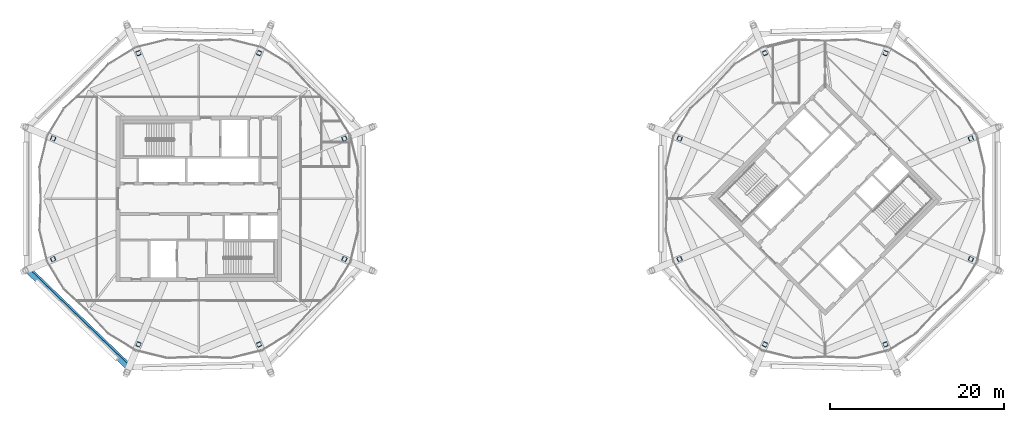
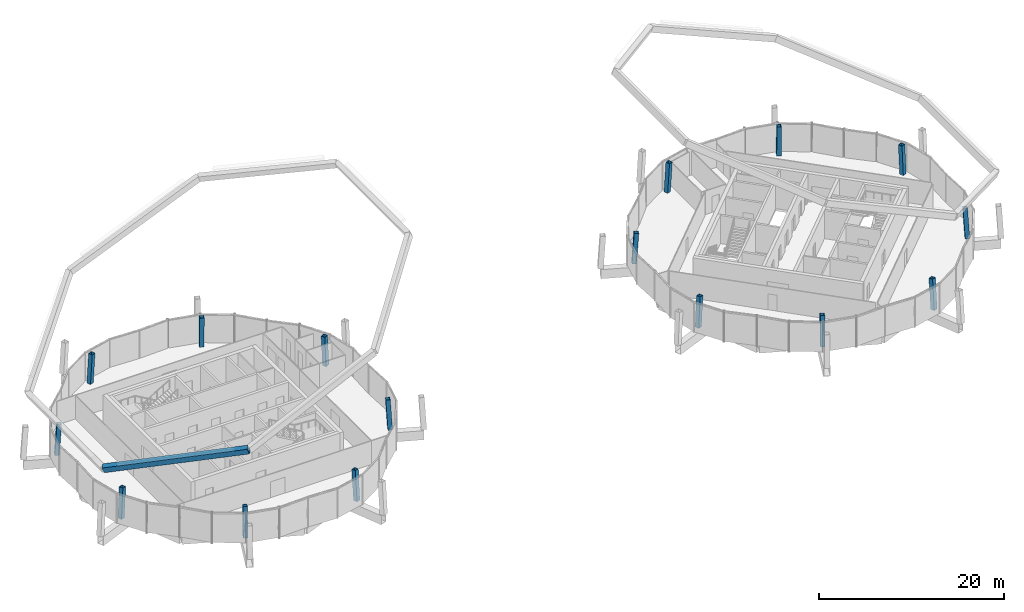
# One storey, part 1 of 34: 16 columns, 1 beam.
"""IFC4 building model written with IfcOpenShell, lengths in metres."""

import ifcopenshell
import ifcopenshell.guid

model = None  # the IFC model being written
_history = None  # IfcOwnerHistory: only IFC2X3 demands one
_inside = {}  # id of a spatial element -> (the spatial element, [elements in it])
_under = {}  # id of a project, library or spatial element -> (it, [spatial elements below it])
_declared = {}  # id of a project -> (the project, [libraries it declares])
_typed = {}  # id of a type object -> (the type object, [elements of that type])
_made_of = {}  # id of a material, layer set ... -> (it, [elements and type objects made of it])


def new_model(schema):
    """Start an empty IFC model of exactly this schema.

    Asked for "IFC4X3", IfcOpenShell would pick the latest addendum, in which some entities
    have other attributes; the version numbers below select the first issue.
    IFC2X3 requires an IfcOwnerHistory on every rooted entity: one is made here for all.
    """
    global model, _history
    if schema == "IFC4X3":
        model = ifcopenshell.file(schema_version=(4, 3, 0, 0))
    else:
        model = ifcopenshell.file(schema=schema)
    _inside.clear()
    _under.clear()
    _declared.clear()
    _typed.clear()
    _made_of.clear()
    _history = None
    if model.schema == "IFC2X3":
        org = make("IfcOrganization", Name="unknown")
        user = make(
            "IfcPersonAndOrganization",
            ThePerson=make("IfcPerson", FamilyName="unknown"),
            TheOrganization=org,
        )
        app = make(
            "IfcApplication",
            ApplicationDeveloper=org,
            Version="unknown",
            ApplicationFullName="unknown",
            ApplicationIdentifier="unknown",
        )
        _history = make(
            "IfcOwnerHistory",
            OwningUser=user,
            OwningApplication=app,
            ChangeAction="ADDED",
            CreationDate=0,
        )
    return model


def make(cls, **values):
    """One entity of the class cls with the attributes given. An attribute that is None is left unset."""
    return model.create_entity(
        cls, **{name: value for name, value in values.items() if value is not None}
    )


def rooted(cls, **values):
    """An entity with a GlobalId (a new one), such as an element, a storey or a relation."""
    return make(cls, GlobalId=ifcopenshell.guid.new(), OwnerHistory=_history, **values)


def si_unit(unit_type, name, prefix=None):
    """IfcSIUnit, for example si_unit("LENGTHUNIT", "METRE", prefix="MILLI")."""
    return make("IfcSIUnit", UnitType=unit_type, Prefix=prefix, Name=name)


def assignment(units):
    """IfcUnitAssignment: the units of a project."""
    return None if units is None else make("IfcUnitAssignment", Units=units)


def point(xyz):
    """IfcCartesianPoint."""
    return None if xyz is None else make("IfcCartesianPoint", Coordinates=xyz)


def direction(xyz):
    """IfcDirection."""
    return None if xyz is None else make("IfcDirection", DirectionRatios=xyz)


def frame(location, z_axis=None, x_axis=None):
    """IfcAxis2Placement3D, a coordinate frame: its origin and axes. An axis left out is left unset."""
    return make(
        "IfcAxis2Placement3D",
        Location=point(location),
        Axis=direction(z_axis),
        RefDirection=direction(x_axis),
    )


def frame_2d(location, x_axis=None):
    """IfcAxis2Placement2D, a coordinate frame in the plane: its origin and x axis."""
    return make(
        "IfcAxis2Placement2D", Location=point(location), RefDirection=direction(x_axis)
    )


def origin():
    """The frame at (0, 0, 0) with its axes left unset."""
    return frame((0.0, 0.0, 0.0))


def origin_2d():
    """The frame at (0, 0) in the plane with its x axis left unset."""
    return frame_2d((0.0, 0.0))


def place(relative_to, where):
    """IfcLocalPlacement: puts the frame where relative to a parent placement (None: the world)."""
    return make(
        "IfcLocalPlacement", PlacementRelTo=relative_to, RelativePlacement=where
    )


def context(
    kind, dimensions, precision=None, world=None, true_north=None, identifier=None
):
    """IfcGeometricRepresentationContext, for example the 3D "Model" context."""
    return make(
        "IfcGeometricRepresentationContext",
        ContextIdentifier=identifier,
        ContextType=kind,
        CoordinateSpaceDimension=dimensions,
        Precision=precision,
        WorldCoordinateSystem=world,
        TrueNorth=true_north,
    )


def subcontext(parent, identifier, kind, view, scale=None):
    """IfcGeometricRepresentationSubContext, for example "Body" below "Model"."""
    return make(
        "IfcGeometricRepresentationSubContext",
        ContextIdentifier=identifier,
        ContextType=kind,
        ParentContext=parent,
        TargetScale=scale,
        TargetView=view,
    )


def project(units=None, contexts=None):
    """IfcProject with its units and contexts."""
    return rooted(
        "IfcProject",
        Name="project",
        RepresentationContexts=contexts,
        UnitsInContext=assignment(units),
    )


def spatial(cls, under=None, at=None, **own):
    """A site, building, storey or space (cls), placed at a placement, below another one or the project."""
    s = rooted(cls, ObjectPlacement=at, **own)
    if under is not None:
        _under.setdefault(under.id(), (under, []))[1].append(s)
    return s


def profile(cls, at=None, kind="AREA", **sizes):
    """A parametric profile (cls). Its sizes go by their IFC names, for example OverallWidth=200.0."""
    return make(cls, ProfileType=kind, Position=at, **sizes)


def hollow_rectangle(**sizes):
    """IfcRectangleHollowProfileDef."""
    return profile("IfcRectangleHollowProfileDef", **sizes)


def extrude(swept, where, along, depth):
    """IfcExtrudedAreaSolid: the profile swept, set in the frame where, extruded along a direction by depth."""
    return make(
        "IfcExtrudedAreaSolid",
        SweptArea=swept,
        Position=where,
        ExtrudedDirection=direction(along),
        Depth=depth,
    )


def shape(context_of_items, identifier, shape_type, items):
    """IfcShapeRepresentation: the items that make up one representation, for example the "Body"."""
    return make(
        "IfcShapeRepresentation",
        ContextOfItems=context_of_items,
        RepresentationIdentifier=identifier,
        RepresentationType=shape_type,
        Items=items,
    )


def material(Name=None, Category=None):
    """IfcMaterial."""
    return make("IfcMaterial", Name=Name, Category=Category)


def material_profile(
    of_material, cross_section, Name=None, Category=None, Priority=None
):
    """IfcMaterialProfile: a cross section and its material."""
    return make(
        "IfcMaterialProfile",
        Name=Name,
        Material=of_material,
        Profile=cross_section,
        Priority=Priority,
        Category=Category,
    )


def profile_set(profiles, Name=None, composite=None):
    """IfcMaterialProfileSet."""
    return make(
        "IfcMaterialProfileSet",
        Name=Name,
        MaterialProfiles=profiles,
        CompositeProfile=composite,
    )


def made_of(thing, what):
    """Note that an element or type object is made of a material, layer set ...; save() writes the relation."""
    if what is not None:
        _made_of.setdefault(what.id(), (what, []))[1].append(thing)
    return thing


def type_object(cls, material=None, **own):
    """A type object (cls), such as IfcWallType, which elements share."""
    return made_of(rooted(cls, **own), material)


def element(
    cls,
    number,
    at=None,
    inside=None,
    cuts=None,
    type_object=None,
    material=None,
    context=None,
    identifier="Body",
    shape_type=None,
    held_by="IfcProductDefinitionShape",
    body=None,
    shapes=None,
    **own,
):
    """One element of the class cls, such as IfcWall. Its Tag is "e" and its number.

    at: its placement. inside: the storey or other place that contains it. cuts: it is an
    opening in that element (IfcRelVoidsElement). A single representation is given by context,
    identifier, shape_type and body (its items); several are given by shapes. held_by: the class
    of the entity that holds the representations. save() writes the other relations.
    """
    e = rooted(cls, Tag="e%d" % number, ObjectPlacement=at, **own)
    if body is not None:
        shapes = [shape(context, identifier, shape_type, body)]
    if shapes is not None:
        e.Representation = make(held_by, Representations=shapes)
    if inside is not None:
        _inside.setdefault(inside.id(), (inside, []))[1].append(e)
    if cuts is not None:
        rooted(
            "IfcRelVoidsElement", RelatingBuildingElement=cuts, RelatedOpeningElement=e
        )
    if type_object is not None:
        _typed.setdefault(type_object.id(), (type_object, []))[1].append(e)
    return made_of(e, material)


def aggregate(whole, parts):
    """IfcRelAggregates: a whole, such as a stair, and the parts it consists of."""
    return rooted("IfcRelAggregates", RelatingObject=whole, RelatedObjects=parts)


def save(model, path):
    """Write the relations noted so far, then the file.

    IfcRelAggregates (storeys below a building ...), IfcRelContainedInSpatialStructure (elements
    in a storey), IfcRelDefinesByType, IfcRelAssociatesMaterial and IfcRelDeclares: one each for
    every whole, place, type object, material and project.
    """
    for whole, parts in _under.values():
        aggregate(whole, parts)
    for where, things in _inside.values():
        rooted(
            "IfcRelContainedInSpatialStructure",
            RelatedElements=things,
            RelatingStructure=where,
        )
    for kind, things in _typed.values():
        rooted("IfcRelDefinesByType", RelatedObjects=things, RelatingType=kind)
    for what, things in _made_of.values():
        rooted("IfcRelAssociatesMaterial", RelatedObjects=things, RelatingMaterial=what)
    for by, libraries in _declared.values():
        rooted("IfcRelDeclares", RelatingContext=by, RelatedDefinitions=libraries)
    model.write(path)


model = new_model("IFC4")

# Units and contexts
model_context = context("Model", 3, precision=1e-05, world=origin(), true_north=direction((0.0, 1.0)))
body_context = subcontext(model_context, "Body", "Model", "MODEL_VIEW")
ifc_project = project(units=[si_unit("LENGTHUNIT", "METRE"), si_unit("AREAUNIT", "SQUARE_METRE"), si_unit("VOLUMEUNIT", "CUBIC_METRE"), si_unit("PLANEANGLEUNIT", "RADIAN"), si_unit("MASSUNIT", "GRAM", prefix="KILO")], contexts=[model_context])

# Site, building, storey
site_placement = place(None, origin())
site = spatial("IfcSite", under=ifc_project, at=site_placement, CompositionType="ELEMENT")
building_placement = place(site_placement, origin())
building = spatial("IfcBuilding", under=site, at=building_placement, Name="Ogive Gate Towers", CompositionType="ELEMENT")
storey_placement = place(building_placement, frame((0.0, 0.0, 294.0)))
storey = spatial("IfcBuildingStorey", under=building, at=storey_placement, Name="L69", CompositionType="ELEMENT", Elevation=294.0)

# Columns
ifc_material = material(Name="Steel SM460", Category="steel")
ifc_material_profile_1 = material_profile(ifc_material, hollow_rectangle(XDim=0.5, YDim=0.5, WallThickness=0.030029296875, at=origin_2d()), Name="BX 500x500x30")
ifc_profile_set_1 = profile_set([ifc_material_profile_1], Name="Steel SM460")
column_type = type_object("IfcColumnType", Name="Perimeter post BX 500x500x30", PredefinedType="COLUMN", material=ifc_profile_set_1)
for number, where, z_axis, x_axis, name in (
    (1, (-19.22705078125, 6.947509765625, 0.0), (-0.056473784619, -0.023393671298, 0.998129975401), (0.382703871955, -0.923871065891, 0.0), "T1/L69/SCL001"),
    (2, (-29.052490234375, 16.77294921875, 0.0), (-0.023393671298, -0.056473784619, 0.998129975401), (0.923871065891, -0.382703871955, 0.0), "T1/L69/SCL002"),
    (3, (-42.947509765625, 16.77294921875, 0.0), (0.023393671298, -0.056473784619, 0.998129975401), (0.923871065891, 0.382703871955, 0.0), "T1/L69/SCL003"),
    (4, (-52.77294921875, 6.947509765625, 0.0), (0.056473784619, -0.023393671298, 0.998129975401), (0.382703871955, 0.923871065891, 0.0), "T1/L69/SCL004"),
    (5, (-52.77294921875, -6.947509765625, 0.0), (0.056473784619, 0.023393671298, 0.998129975401), (-0.382703871955, 0.923871065891, 0.0), "T1/L69/SCL005"),
    (6, (-42.947509765625, -16.77294921875, 0.0), (0.023393671298, 0.056473784619, 0.998129975401), (-0.923871065891, 0.382703871955, 0.0), "T1/L69/SCL006"),
    (7, (-29.052490234375, -16.77294921875, 0.0), (-0.023393671298, 0.056473784619, 0.998129975401), (-0.923871065891, -0.382703871955, 0.0), "T1/L69/SCL007"),
    (8, (-19.22705078125, -6.947509765625, 0.0), (-0.056473784619, 0.023393671298, 0.998129975401), (-0.382703871955, -0.923871065891, 0.0), "T1/L69/SCL008"),
    (9, (52.77294921875, 6.947509765625, 0.0), (-0.056473784619, -0.023393671298, 0.998129975401), (0.382703871955, -0.923871065891, 0.0), "T2/L69/SCL001"),
    (10, (42.947509765625, 16.77294921875, 0.0), (-0.023393671298, -0.056473784619, 0.998129975401), (0.923871065891, -0.382703871955, 0.0), "T2/L69/SCL002"),
    (11, (29.052490234375, 16.77294921875, 0.0), (0.023393671298, -0.056473784619, 0.998129975401), (0.923871065891, 0.382703871955, 0.0), "T2/L69/SCL003"),
    (12, (19.22705078125, 6.947509765625, 0.0), (0.056473784619, -0.023393671298, 0.998129975401), (0.382703871955, 0.923871065891, 0.0), "T2/L69/SCL004"),
    (13, (19.22705078125, -6.947509765625, 0.0), (0.056473784619, 0.023393671298, 0.998129975401), (-0.382703871955, 0.923871065891, 0.0), "T2/L69/SCL005"),
    (14, (29.052490234375, -16.77294921875, 0.0), (0.023393671298, 0.056473784619, 0.998129975401), (-0.923871065891, 0.382703871955, 0.0), "T2/L69/SCL006"),
    (15, (42.947509765625, -16.77294921875, 0.0), (-0.023393671298, 0.056473784619, 0.998129975401), (-0.923871065891, -0.382703871955, 0.0), "T2/L69/SCL007"),
    (16, (52.77294921875, -6.947509765625, 0.0), (-0.056473784619, 0.023393671298, 0.998129975401), (-0.382703871955, -0.923871065891, 0.0), "T2/L69/SCL008"),
):
    element("IfcColumn", number, at=place(storey_placement, frame(where, z_axis=z_axis, x_axis=x_axis)), inside=storey, type_object=column_type, Name=name, PredefinedType="COLUMN", context=body_context, shape_type="SweptSolid", body=[
        extrude(hollow_rectangle(XDim=0.5, YDim=0.5, WallThickness=0.030029296875, at=origin_2d()), origin(), (0.0, 0.0, 1.0), 4.007568359375),
    ])

# Beam
ifc_material_profile_2 = material_profile(ifc_material, hollow_rectangle(XDim=0.60009765625, YDim=0.800048828125, WallThickness=0.0400390625, at=origin_2d()), Name="BX 800x600x40")
ifc_profile_set_2 = profile_set([ifc_material_profile_2], Name="Steel SM460")
beam_type = type_object("IfcBeamType", Name="Crown ring beam BX 800x600x40", PredefinedType="BEAM", material=ifc_profile_set_2)
beam_placement = place(storey_placement, frame((-55.653076171875, -8.140625, 8.26953125), z_axis=(0.685197707723, -0.660710955378, 0.306537330149), x_axis=(-0.603109909205, -0.750640415537, -0.269809940478)))
element("IfcBeam", 17, at=beam_placement, inside=storey, type_object=beam_type, Name="T1/L69/SBM005", PredefinedType="BEAM", context=body_context, shape_type="SweptSolid", body=[
    extrude(hollow_rectangle(XDim=0.60009765625, YDim=0.800048828125, WallThickness=0.0400390625, at=origin_2d()), origin(), (0.0, 0.0, 1.0), 16.9794921875),
])

save(model, "model.ifc")
